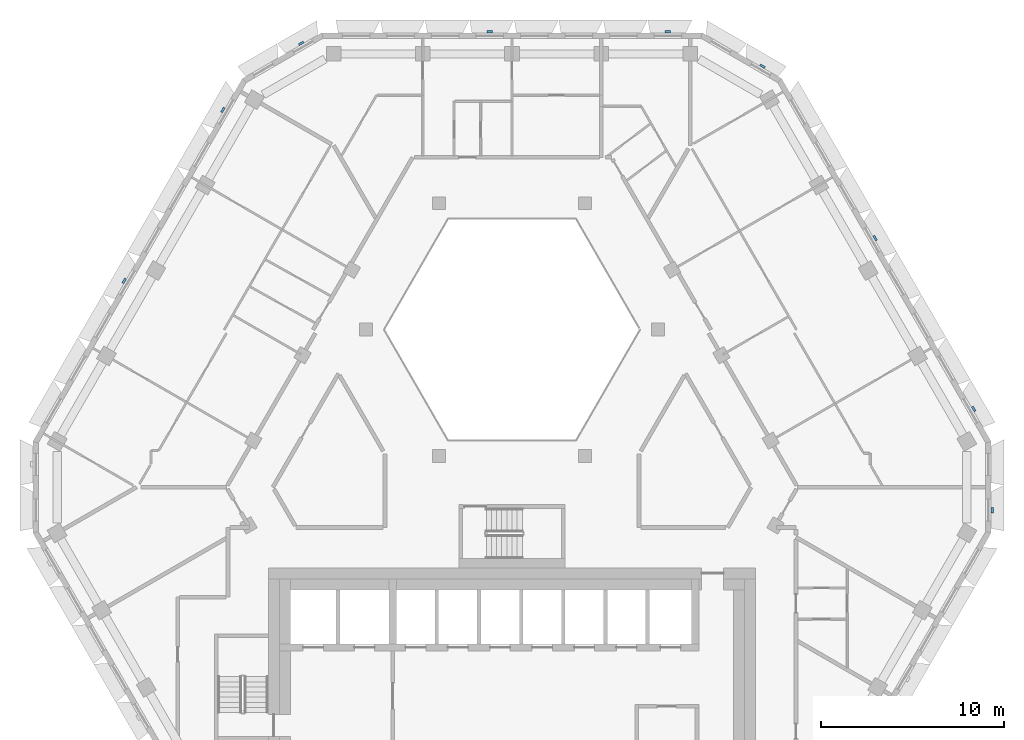
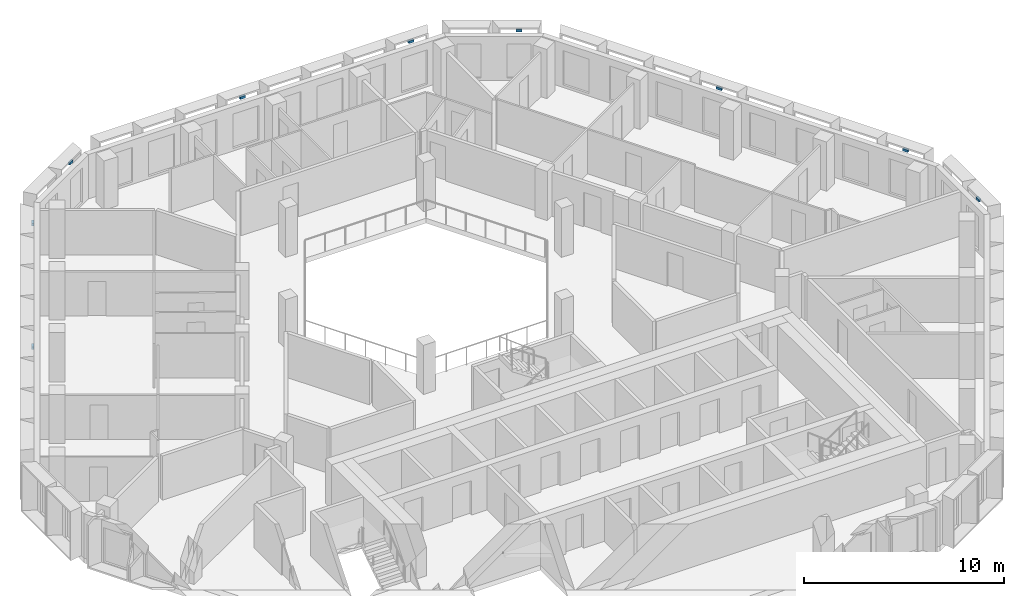
# One storey, part 10 of 17: 9 discrete accessories.
"""IFC4 building model written with IfcOpenShell, lengths in metres."""

from ifc_helpers import new_model, si_unit, direction, frame, origin, place, context, subcontext, project, spatial, polyline, outline, extrude, source, transform, mapped, material, type_object, type_shapes, element, save


model = new_model("IFC4")

# Units and contexts
model_context = context("Model", 3, precision=1e-05, world=origin(), true_north=direction((0.0, 1.0)))
body_context = subcontext(model_context, "Body", "Model", "MODEL_VIEW")
ifc_project = project(units=[si_unit("LENGTHUNIT", "METRE"), si_unit("AREAUNIT", "SQUARE_METRE"), si_unit("VOLUMEUNIT", "CUBIC_METRE"), si_unit("PLANEANGLEUNIT", "RADIAN"), si_unit("MASSUNIT", "GRAM", prefix="KILO")], contexts=[model_context])

# Site, building, storey
site_placement = place(None, origin())
site = spatial("IfcSite", under=ifc_project, at=site_placement, CompositionType="ELEMENT")
building_placement = place(site_placement, origin())
building = spatial("IfcBuilding", under=site, at=building_placement, Name="Beryl Residences", CompositionType="ELEMENT")
storey_placement = place(building_placement, frame((0.0, 0.0, 166.199951171875)))
storey = spatial("IfcBuildingStorey", under=building, at=storey_placement, Name="L50", CompositionType="ELEMENT", Elevation=166.199951171875)

# Discrete accessories
ifc_material = material(Name="Steel S355", Category="steel")
discrete_accessory_type = type_object("IfcDiscreteAccessoryType", Name="BR1 frame bracket 300 x 120 x 150 mm", PredefinedType="BRACKET", material=ifc_material)
shared_shape = source(origin(), body_context, "Body", "SweptSolid", [
    extrude(outline(polyline([(-0.14990234375, 0.0), (0.14990234375, 0.0), (0.14990234375, 0.1201171875), (-0.14990234375, 0.1201171875), (-0.14990234375, 0.0)])), origin(), (0.0, 0.0, 1.0), 0.14990234375),
])
type_shapes(discrete_accessory_type, [shared_shape])
for number, where, z_axis, x_axis, name in (
    (1, (8.511962890625, 24.199951171875, 2.75), (0.0, 0.0, 1.0), (1.0, 0.0, 0.0), "BR1 bracket L50 N 1"),
    (2, (-1.216064453125, 24.199951171875, 2.75), (0.0, 0.0, 1.0), (1.0, 0.0, 0.0), "BR1 bracket L50 N 5"),
    (3, (-11.47412109375, 23.574951171875, 2.75), (0.0, 0.0, 1.0), (0.866025403784, 0.5, 0.0), "BR1 bracket L50 N-NW 1"),
    (4, (-15.72705078125, 19.9599609375, 2.75), (0.0, 0.0, 1.0), (0.5, 0.866025403784, 0.0), "BR1 bracket L50 NW 1"),
    (5, (-21.111083984375, 10.634033203125, 2.75), (0.0, 0.0, 1.0), (0.5, 0.866025403784, 0.0), "BR1 bracket L50 NW 5"),
    (6, (26.154052734375, -1.85009765625, 2.75), (0.0, 0.0, 1.0), (0.0, -1.0, 0.0), "BR1 bracket L50 SE-NE 1"),
    (7, (25.14892578125, 3.639892578125, 2.75), (0.0, 0.0, 1.0), (0.5, -0.866025403784, 0.0), "BR1 bracket L50 NE 1"),
    (8, (19.764892578125, 12.966064453125, 2.75), (0.0, 0.0, 1.0), (0.5, -0.866025403784, 0.0), "BR1 bracket L50 NE 5"),
    (9, (13.638916015625, 22.324951171875, 2.75), (0.0, 0.0, 1.0), (0.866025403784, -0.5, 0.0), "BR1 bracket L50 NE-N 1"),
):
    element("IfcDiscreteAccessory", number, at=place(storey_placement, frame(where, z_axis=z_axis, x_axis=x_axis)), inside=storey, type_object=discrete_accessory_type, Name=name, PredefinedType="BRACKET", context=body_context, shape_type="MappedRepresentation", body=[
        mapped(shared_shape, transform((0.0, 0.0, 0.0))),
    ])

save(model, "model.ifc")
